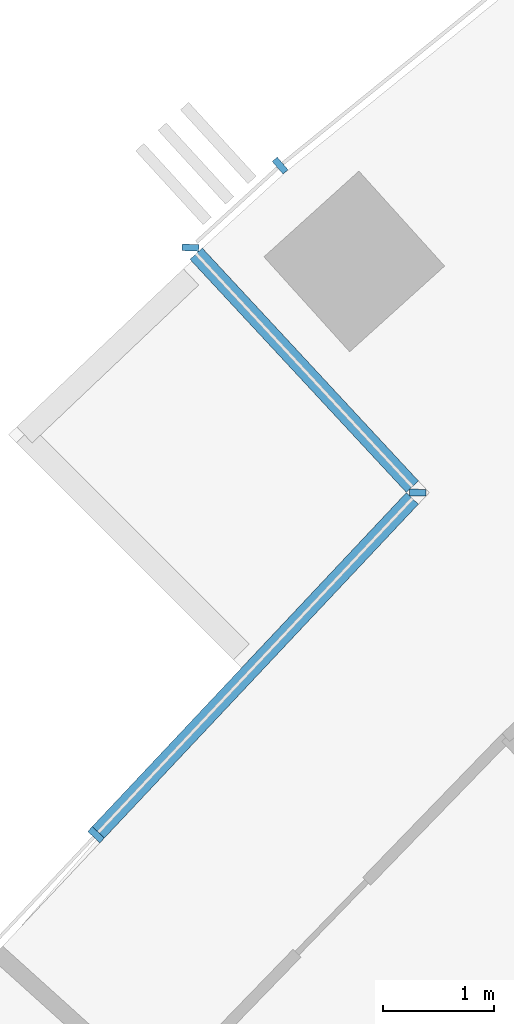
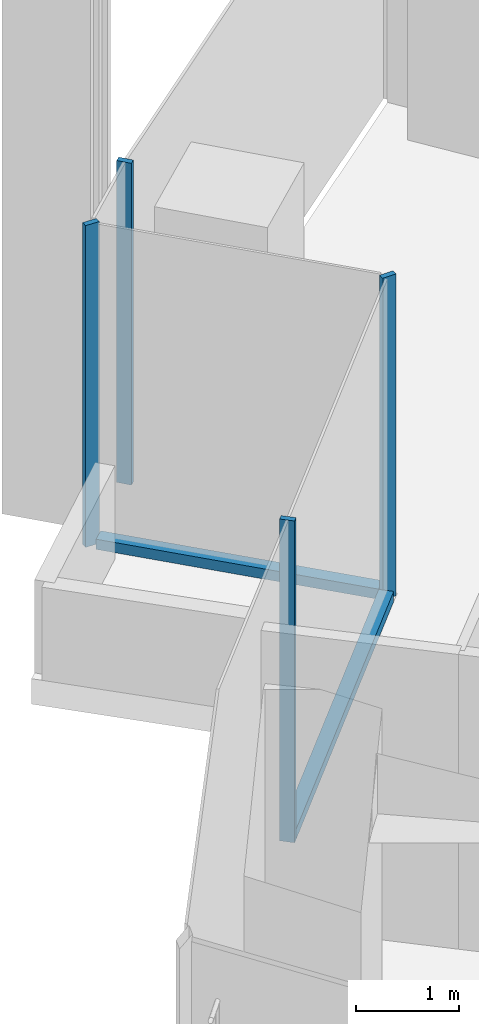
# One storey, part 3 of 20: 6 members, 3 elements without a shape of their own.
"""IFC4 building model written with IfcOpenShell, lengths in metres."""

from ifc_helpers import new_model, si_unit, direction, frame, origin, origin_2d, place, context, subcontext, project, spatial, rectangle, extrude, material, layer, layer_set, material_profile, profile_set, type_object, element, aggregate, save


model = new_model("IFC4")

# Units and contexts
model_context = context("Model", 3, precision=1e-05, world=origin(), true_north=direction((0.0, 1.0)))
body_context = subcontext(model_context, "Body", "Model", "MODEL_VIEW")
ifc_project = project(units=[si_unit("LENGTHUNIT", "METRE"), si_unit("AREAUNIT", "SQUARE_METRE"), si_unit("VOLUMEUNIT", "CUBIC_METRE"), si_unit("PLANEANGLEUNIT", "RADIAN"), si_unit("MASSUNIT", "GRAM", prefix="KILO")], contexts=[model_context])

# Site, building, storey
site_placement = place(None, origin())
site = spatial("IfcSite", under=ifc_project, at=site_placement, CompositionType="ELEMENT")
building_placement = place(site_placement, origin())
building = spatial("IfcBuilding", under=site, at=building_placement, Name="Stone Belt Terrace Tower", CompositionType="ELEMENT")
storey_placement = place(building_placement, frame((0.0, 0.0, 102.199951171875)))
storey = spatial("IfcBuildingStorey", under=building, at=storey_placement, Name="L24", CompositionType="ELEMENT", Elevation=102.199951171875)

# Curtain wall, member
ifc_material = material(Name="Aluminium 6063-T6 anodised frame", Category="aluminium")
ifc_layer_1 = layer(ifc_material, 0.14990234375)
ifc_layer_set_1 = layer_set([ifc_layer_1], Name="CW-A unitised convex-face curtain wall")
curtain_wall_type_1 = type_object("IfcCurtainWallType", Name="CW-A unitised convex-face curtain wall", PredefinedType="NOTDEFINED", material=ifc_layer_set_1)
curtain_wall_1_placement = place(storey_placement, origin())
curtain_wall_1 = element("IfcCurtainWall", 1, at=curtain_wall_1_placement, inside=storey, type_object=curtain_wall_type_1, Name="CW-A convex face L24", PredefinedType="NOTDEFINED")
ifc_material_profile_1 = material_profile(ifc_material, rectangle(XDim=0.14990234375, YDim=0.06005859375, at=origin_2d()), Name="Aluminium 6063-T6 60x150")
ifc_profile_set_1 = profile_set([ifc_material_profile_1], Name="Aluminium 6063-T6 anodised frame")
member_type_1 = type_object("IfcMemberType", Name="CW-A mullion 60 x 150", PredefinedType="MULLION", material=ifc_profile_set_1)
member_1_placement = place(storey_placement, frame((-44.546142578125, 49.47607421875, 0.0), z_axis=(0.0, 0.0, 1.0), x_axis=(0.652344213157, -0.757922837471, 0.0)))
member_1 = element("IfcMember", 2, at=member_1_placement, type_object=member_type_1, Name="CW-A mullion 17", PredefinedType="MULLION", context=body_context, shape_type="SweptSolid", body=[
    extrude(rectangle(XDim=0.14990234375, YDim=0.06005859375, at=origin_2d()), origin(), (0.0, 0.0, 1.0), 3.800048828125),
])
aggregate(curtain_wall_1, [member_1])

ifc_layer_2 = layer(ifc_material, 0.14990234375)
ifc_layer_set_2 = layer_set([ifc_layer_2], Name="CW-C stick curtain wall, horn ends and notches")
curtain_wall_type_2 = type_object("IfcCurtainWallType", Name="CW-C stick curtain wall, horn ends and notches", PredefinedType="NOTDEFINED", material=ifc_layer_set_2)
curtain_wall_2_placement = place(storey_placement, origin())
curtain_wall_2 = element("IfcCurtainWall", 3, at=curtain_wall_2_placement, inside=storey, type_object=curtain_wall_type_2, Name="CW-C notch face L24", PredefinedType="NOTDEFINED")
ifc_material_profile_2 = material_profile(ifc_material, rectangle(XDim=0.14990234375, YDim=0.06005859375, at=origin_2d()), Name="Aluminium 6063-T6 60x150")
ifc_profile_set_2 = profile_set([ifc_material_profile_2], Name="Aluminium 6063-T6 anodised frame")
member_type_2 = type_object("IfcMemberType", Name="CW-C mullion 60 x 150", PredefinedType="MULLION", material=ifc_profile_set_2)
member_2_placement = place(storey_placement, frame((-45.3525390625, 48.73876953125, 0.0), z_axis=(0.0, 0.0, 1.0), x_axis=(0.999163094932, -0.040903663964, 0.0)))
member_2 = element("IfcMember", 4, at=member_2_placement, type_object=member_type_2, Name="CW-C mullion 1", PredefinedType="MULLION", context=body_context, shape_type="SweptSolid", body=[
    extrude(rectangle(XDim=0.14990234375, YDim=0.06005859375, at=origin_2d()), origin(), (0.0, 0.0, 1.0), 3.800048828125),
])

# Curtain wall, members
curtain_wall_3_placement = place(storey_placement, origin())
curtain_wall_3 = element("IfcCurtainWall", 5, at=curtain_wall_3_placement, inside=storey, type_object=curtain_wall_type_2, Name="CW-C notch face L24", PredefinedType="NOTDEFINED")
member_3_placement = place(storey_placement, frame((-43.3076171875, 46.5361328125, 0.0), z_axis=(0.0, 0.0, 1.0), x_axis=(0.999994668066, -0.003265553363, 0.0)))
member_3 = element("IfcMember", 6, at=member_3_placement, type_object=member_type_2, Name="CW-C mullion 1", PredefinedType="MULLION", context=body_context, shape_type="SweptSolid", body=[
    extrude(rectangle(XDim=0.14990234375, YDim=0.06005859375, at=origin_2d()), origin(), (0.0, 0.0, 1.0), 3.800048828125),
])
member_4_placement = place(storey_placement, frame((-46.201416015625, 43.459716796875, 0.0), z_axis=(0.0, 0.0, 1.0), x_axis=(0.728388623646, -0.685164223338, 0.0)))
member_4 = element("IfcMember", 7, at=member_4_placement, type_object=member_type_2, Name="CW-C mullion 2", PredefinedType="MULLION", context=body_context, shape_type="SweptSolid", body=[
    extrude(rectangle(XDim=0.14990234375, YDim=0.06005859375, at=origin_2d()), origin(), (0.0, 0.0, 1.0), 3.800048828125),
])

# Member
ifc_material_profile_3 = material_profile(ifc_material, rectangle(XDim=0.14990234375, YDim=0.1201171875, at=origin_2d()), Name="Aluminium 6063-T6 150x120")
ifc_profile_set_3 = profile_set([ifc_material_profile_3], Name="Aluminium 6063-T6 anodised frame")
member_type_3 = type_object("IfcMemberType", Name="CW-C transom 120 x 150", PredefinedType="USERDEFINED", material=ifc_profile_set_3)
member_5_placement = place(storey_placement, frame((-45.302001953125, 48.684326171875, 0.06005859375), z_axis=(0.680395396826, -0.732845211472, 0.0), x_axis=(0.732845211472, 0.680395396826, 0.0)))
member_5 = element("IfcMember", 8, at=member_5_placement, type_object=member_type_3, Name="CW-C transom 1.1", ObjectType="TRANSOM", PredefinedType="USERDEFINED", context=body_context, shape_type="SweptSolid", body=[
    extrude(rectangle(XDim=0.14990234375, YDim=0.1201171875, at=origin_2d()), origin(), (0.0, 0.0, 1.0), 2.85791015625),
])

aggregate(curtain_wall_2, [member_2, member_5])

member_6_placement = place(storey_placement, frame((-43.357666015625, 46.48291015625, 0.06005859375), z_axis=(-0.685179856949, -0.728373917457, 0.0), x_axis=(0.728373917457, -0.685179856949, 0.0)))
member_6 = element("IfcMember", 9, at=member_6_placement, type_object=member_type_3, Name="CW-C transom 1.1", ObjectType="TRANSOM", PredefinedType="USERDEFINED", context=body_context, shape_type="SweptSolid", body=[
    extrude(rectangle(XDim=0.14990234375, YDim=0.1201171875, at=origin_2d()), origin(), (0.0, 0.0, 1.0), 4.120361328125),
])

aggregate(curtain_wall_3, [member_3, member_4, member_6])

save(model, "model.ifc")
